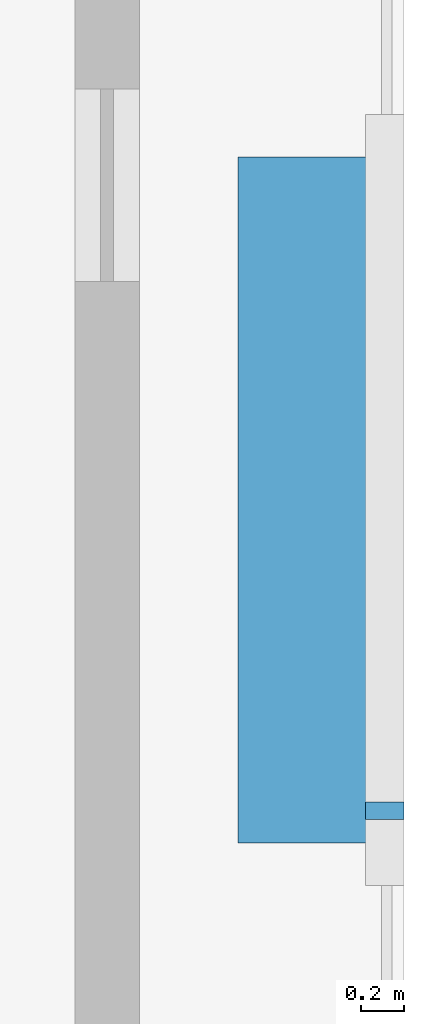
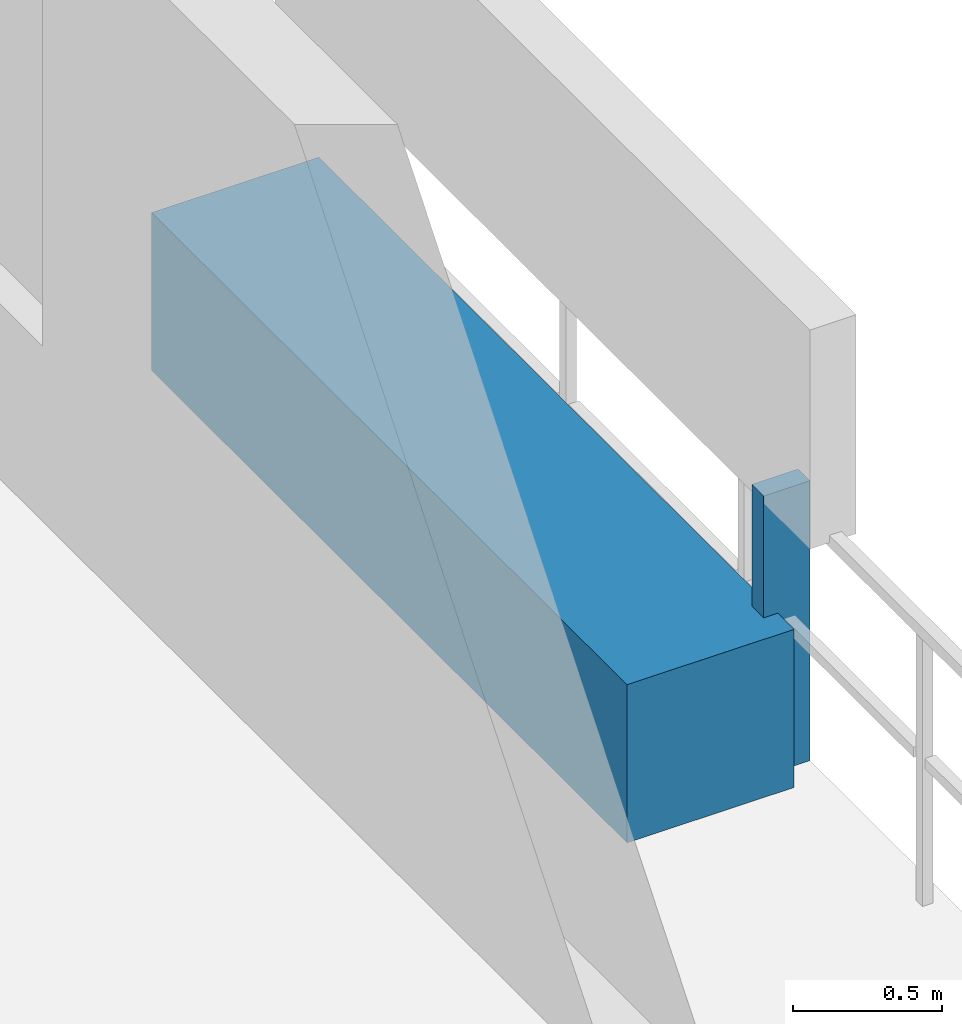
# One storey, part 31 of 35: 2 discrete accessories.
"""IFC4 building model written with IfcOpenShell, lengths in metres."""

from ifc_helpers import new_model, si_unit, direction, frame, origin, origin_2d, place, context, subcontext, project, spatial, rectangle, extrude, material, type_object, element, save


model = new_model("IFC4")

# Units and contexts
model_context = context("Model", 3, precision=1e-05, world=origin(), true_north=direction((0.0, 1.0)))
body_context = subcontext(model_context, "Body", "Model", "MODEL_VIEW")
ifc_project = project(units=[si_unit("LENGTHUNIT", "METRE"), si_unit("AREAUNIT", "SQUARE_METRE"), si_unit("VOLUMEUNIT", "CUBIC_METRE"), si_unit("PLANEANGLEUNIT", "RADIAN"), si_unit("MASSUNIT", "GRAM", prefix="KILO")], contexts=[model_context])

# Site, building, storey
site_placement = place(None, origin())
site = spatial("IfcSite", under=ifc_project, at=site_placement, CompositionType="ELEMENT")
building_placement = place(site_placement, origin())
building = spatial("IfcBuilding", under=site, at=building_placement, Name="Thornwick Lancets Civic Towers", CompositionType="ELEMENT")
storey_placement = place(building_placement, frame((0.0, 0.0, 276.300048828125)))
storey = spatial("IfcBuildingStorey", under=building, at=storey_placement, Name="L74", CompositionType="ELEMENT", Elevation=276.300048828125)

# Discrete accessories
ifc_material_1 = material(Name="Planted terracotta greenery planter", Category="masonry")
discrete_accessory_type_1 = type_object("IfcDiscreteAccessoryType", Name="ACC_PLANTER_BOX", PredefinedType="USERDEFINED", material=ifc_material_1)
discrete_accessory_1_placement = place(storey_placement, frame((113.199951171875, 27.0, 0.0), z_axis=(0.0, 0.0, 1.0), x_axis=(1.0, 0.0, 0.0)))
element("IfcDiscreteAccessory", 1, at=discrete_accessory_1_placement, inside=storey, type_object=discrete_accessory_type_1, Name="L74 Tower B Balcony Greenery Planter E", ObjectType="PLANTER", PredefinedType="USERDEFINED", context=body_context, shape_type="SweptSolid", body=[
    extrude(rectangle(XDim=0.64990234375, YDim=3.199951171875, at=origin_2d()), origin(), (0.0, 0.0, 1.0), 0.64990234375),
])
ifc_material_2 = material(Name="Stainless steel S355", Category="steel")
discrete_accessory_type_2 = type_object("IfcDiscreteAccessoryType", Name="ACC_SCREEN_BRACKET", PredefinedType="BRACKET", material=ifc_material_2)
discrete_accessory_2_placement = place(storey_placement, frame((113.56005859375, 25.550048828125, 0.0), z_axis=(0.0, 0.0, 1.0), x_axis=(0.0, 1.0, 0.0)))
element("IfcDiscreteAccessory", 2, at=discrete_accessory_2_placement, inside=storey, type_object=discrete_accessory_type_2, Name="L74 Tower B Balcony Screen Stanchion Bracket E-1", PredefinedType="BRACKET", context=body_context, shape_type="SweptSolid", body=[
    extrude(rectangle(XDim=0.080078125, YDim=0.179931640625, at=origin_2d()), origin(), (0.0, 0.0, 1.0), 1.14990234375),
])

save(model, "model.ifc")
